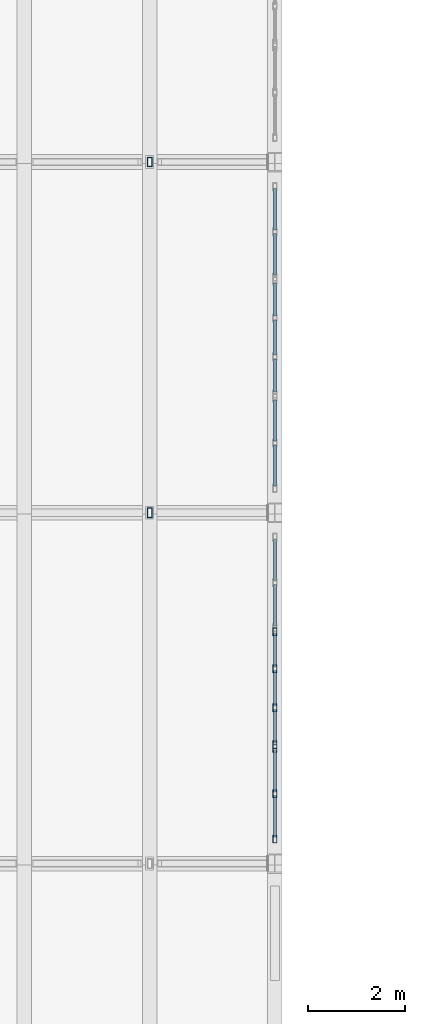
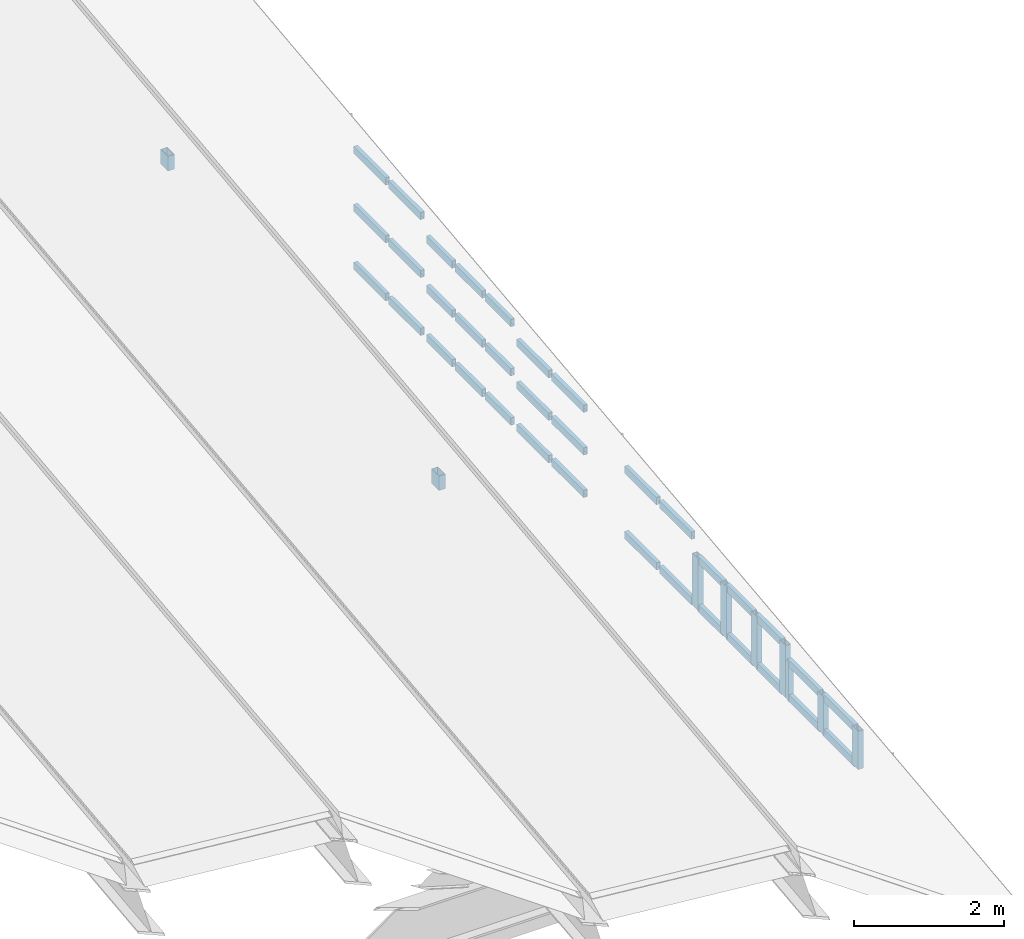
# One storey, part 26 of 48: 44 members, 6 elements without a shape of their own.
"""IFC4 building model written with IfcOpenShell, lengths in metres."""

from ifc_helpers import new_model, si_unit, direction, frame, origin, origin_2d, place, context, subcontext, project, spatial, hollow_rectangle, extrude, material, layer, layer_set, material_profile, profile_set, type_object, element, aggregate, save


model = new_model("IFC4")

# Units and contexts
model_context = context("Model", 3, precision=1e-05, world=origin(), true_north=direction((0.0, 1.0)))
body_context = subcontext(model_context, "Body", "Model", "MODEL_VIEW")
ifc_project = project(units=[si_unit("LENGTHUNIT", "METRE"), si_unit("AREAUNIT", "SQUARE_METRE"), si_unit("VOLUMEUNIT", "CUBIC_METRE"), si_unit("PLANEANGLEUNIT", "RADIAN"), si_unit("MASSUNIT", "GRAM", prefix="KILO"), si_unit("THERMODYNAMICTEMPERATUREUNIT", "KELVIN"), si_unit("POWERUNIT", "WATT")], contexts=[model_context])

# Site, building, storey
site_placement = place(None, origin())
site = spatial("IfcSite", under=ifc_project, at=site_placement, CompositionType="ELEMENT")
building_placement = place(site_placement, origin())
building = spatial("IfcBuilding", under=site, at=building_placement, Name="Kaldorven Railside Theatre", CompositionType="ELEMENT")
storey_placement = place(building_placement, frame((0.0, 0.0, 18.89990234375)))
storey = spatial("IfcBuildingStorey", under=building, at=storey_placement, Name="L04", CompositionType="ELEMENT", Elevation=18.89990234375)

# Curtain wall, members
ifc_material_1 = material(Name="Low-E laminated solar-control glass", Category="glass")
ifc_layer_1 = layer(ifc_material_1, 0.159912109375, Name="Low-E laminated solar-control glass")
ifc_layer_set_1 = layer_set([ifc_layer_1], Name="Low-E laminated solar-control glass")
curtain_wall_type_1 = type_object("IfcCurtainWallType", Name="CWT-26", PredefinedType="USERDEFINED", material=ifc_layer_set_1)
curtain_wall_1_placement = place(storey_placement, origin())
curtain_wall_1 = element("IfcCurtainWall", 1, at=curtain_wall_1_placement, inside=storey, type_object=curtain_wall_type_1, Name="Main Theatre East Eave Clerestory CWG-018", ObjectType="FLUTED GLAZING", PredefinedType="USERDEFINED")
ifc_material_2 = material(Name="Anodised bronze aluminium", Category="aluminium")
ifc_material_profile_1 = material_profile(ifc_material_2, hollow_rectangle(XDim=0.080078125, YDim=0.159912109375, WallThickness=0.00634765625, at=origin_2d()), Name="RHS 160x80x6.3")
ifc_profile_set_1 = profile_set([ifc_material_profile_1], Name="Anodised bronze aluminium")
member_type_1 = type_object("IfcMemberType", Name="CWM-160", PredefinedType="MULLION", material=ifc_profile_set_1)
member_1_placement = place(storey_placement, frame((123.199951171875, 48.5048828125, 0.02001953125), z_axis=(0.0, 0.0, 1.0), x_axis=(-1.0, 0.0, 0.0)))
member_1 = element("IfcMember", 2, at=member_1_placement, type_object=member_type_1, Name="CWG-018 mullion 1", PredefinedType="MULLION", context=body_context, shape_type="SweptSolid", body=[
    extrude(hollow_rectangle(XDim=0.080078125, YDim=0.159912109375, WallThickness=0.00634765625, at=origin_2d()), origin(), (0.0, 0.0, 1.0), 0.6201171875),
])
member_2_placement = place(storey_placement, frame((123.199951171875, 49.4326171875, 0.02001953125), z_axis=(0.0, 0.0, 1.0), x_axis=(-1.0, 0.0, 0.0)))
member_2 = element("IfcMember", 3, at=member_2_placement, type_object=member_type_1, Name="CWG-018 mullion 2", PredefinedType="MULLION", context=body_context, shape_type="SweptSolid", body=[
    extrude(hollow_rectangle(XDim=0.080078125, YDim=0.159912109375, WallThickness=0.00634765625, at=origin_2d()), origin(), (0.0, 0.0, 1.0), 0.6201171875),
])
member_3_placement = place(storey_placement, frame((123.199951171875, 50.360107421875, 0.02001953125), z_axis=(0.0, 0.0, 1.0), x_axis=(-1.0, 0.0, 0.0)))
member_3 = element("IfcMember", 4, at=member_3_placement, type_object=member_type_1, Name="CWG-018 mullion 3", PredefinedType="MULLION", context=body_context, shape_type="SweptSolid", body=[
    extrude(hollow_rectangle(XDim=0.080078125, YDim=0.159912109375, WallThickness=0.00634765625, at=origin_2d()), origin(), (0.0, 0.0, 1.0), 0.6201171875),
])

ifc_layer_2 = layer(ifc_material_1, 0.159912109375, Name="Low-E laminated solar-control glass")
ifc_layer_set_2 = layer_set([ifc_layer_2], Name="Low-E laminated solar-control glass")
curtain_wall_type_2 = type_object("IfcCurtainWallType", Name="CWT-27", PredefinedType="USERDEFINED", material=ifc_layer_set_2)
curtain_wall_2_placement = place(storey_placement, origin())
curtain_wall_2 = element("IfcCurtainWall", 5, at=curtain_wall_2_placement, inside=storey, type_object=curtain_wall_type_2, Name="Main Theatre East Eave Clerestory CWG-019", ObjectType="FLUTED GLAZING", PredefinedType="USERDEFINED")
member_4_placement = place(storey_placement, frame((123.199951171875, 50.43994140625, 0.02001953125), z_axis=(0.0, 0.0, 1.0), x_axis=(-1.0, 0.0, 0.0)))
member_4 = element("IfcMember", 6, at=member_4_placement, type_object=member_type_1, Name="CWG-019 mullion 1", PredefinedType="MULLION", context=body_context, shape_type="SweptSolid", body=[
    extrude(hollow_rectangle(XDim=0.080078125, YDim=0.159912109375, WallThickness=0.00634765625, at=origin_2d()), origin(), (0.0, 0.0, 1.0), 0.840087890625),
])
member_5_placement = place(storey_placement, frame((123.199951171875, 51.199951171875, 0.02001953125), z_axis=(0.0, 0.0, 1.0), x_axis=(-1.0, 0.0, 0.0)))
member_5 = element("IfcMember", 7, at=member_5_placement, type_object=member_type_1, Name="CWG-019 mullion 2", PredefinedType="MULLION", context=body_context, shape_type="SweptSolid", body=[
    extrude(hollow_rectangle(XDim=0.080078125, YDim=0.159912109375, WallThickness=0.00634765625, at=origin_2d()), origin(), (0.0, 0.0, 1.0), 0.840087890625),
])
member_6_placement = place(storey_placement, frame((123.199951171875, 52.0, 0.02001953125), z_axis=(0.0, 0.0, 1.0), x_axis=(-1.0, 0.0, 0.0)))
member_6 = element("IfcMember", 8, at=member_6_placement, type_object=member_type_1, Name="CWG-019 mullion 3", PredefinedType="MULLION", context=body_context, shape_type="SweptSolid", body=[
    extrude(hollow_rectangle(XDim=0.080078125, YDim=0.159912109375, WallThickness=0.00634765625, at=origin_2d()), origin(), (0.0, 0.0, 1.0), 0.840087890625),
])
member_7_placement = place(storey_placement, frame((123.199951171875, 52.760009765625, 0.02001953125), z_axis=(0.0, 0.0, 1.0), x_axis=(-1.0, 0.0, 0.0)))
member_7 = element("IfcMember", 9, at=member_7_placement, type_object=member_type_1, Name="CWG-019 mullion 4", PredefinedType="MULLION", context=body_context, shape_type="SweptSolid", body=[
    extrude(hollow_rectangle(XDim=0.080078125, YDim=0.159912109375, WallThickness=0.00634765625, at=origin_2d()), origin(), (0.0, 0.0, 1.0), 0.840087890625),
])

# Member
ifc_material_profile_2 = material_profile(ifc_material_2, hollow_rectangle(XDim=0.06005859375, YDim=0.1201171875, WallThickness=0.0048828125, at=origin_2d()), Name="RHS 120x60x5")
ifc_profile_set_2 = profile_set([ifc_material_profile_2], Name="Anodised bronze aluminium")
member_type_2 = type_object("IfcMemberType", Name="CWT-120", PredefinedType="USERDEFINED", material=ifc_profile_set_2)
member_8_placement = place(storey_placement, frame((123.199951171875, 48.544921875, 0.050048828125), z_axis=(0.0, 1.0, 0.0), x_axis=(-1.0, 0.0, 0.0)))
member_8 = element("IfcMember", 10, at=member_8_placement, type_object=member_type_2, Name="CWG-018 transom 1.1", ObjectType="TRANSOM", PredefinedType="USERDEFINED", context=body_context, shape_type="SweptSolid", body=[
    extrude(hollow_rectangle(XDim=0.06005859375, YDim=0.1201171875, WallThickness=0.0048828125, at=origin_2d()), origin(), (0.0, 0.0, 1.0), 0.84765625),
])

member_9_placement = place(storey_placement, frame((123.199951171875, 48.544921875, 0.610107421875), z_axis=(0.0, 1.0, 0.0), x_axis=(-1.0, 0.0, 0.0)))
member_9 = element("IfcMember", 11, at=member_9_placement, type_object=member_type_2, Name="CWG-018 transom 1.2", ObjectType="TRANSOM", PredefinedType="USERDEFINED", context=body_context, shape_type="SweptSolid", body=[
    extrude(hollow_rectangle(XDim=0.06005859375, YDim=0.1201171875, WallThickness=0.0048828125, at=origin_2d()), origin(), (0.0, 0.0, 1.0), 0.84765625),
])

member_10_placement = place(storey_placement, frame((123.199951171875, 49.472412109375, 0.050048828125), z_axis=(0.0, 1.0, 0.0), x_axis=(-1.0, 0.0, 0.0)))
member_10 = element("IfcMember", 12, at=member_10_placement, type_object=member_type_2, Name="CWG-018 transom 2.1", ObjectType="TRANSOM", PredefinedType="USERDEFINED", context=body_context, shape_type="SweptSolid", body=[
    extrude(hollow_rectangle(XDim=0.06005859375, YDim=0.1201171875, WallThickness=0.0048828125, at=origin_2d()), origin(), (0.0, 0.0, 1.0), 0.84765625),
])

member_11_placement = place(storey_placement, frame((123.199951171875, 49.472412109375, 0.610107421875), z_axis=(0.0, 1.0, 0.0), x_axis=(-1.0, 0.0, 0.0)))
member_11 = element("IfcMember", 13, at=member_11_placement, type_object=member_type_2, Name="CWG-018 transom 2.2", ObjectType="TRANSOM", PredefinedType="USERDEFINED", context=body_context, shape_type="SweptSolid", body=[
    extrude(hollow_rectangle(XDim=0.06005859375, YDim=0.1201171875, WallThickness=0.0048828125, at=origin_2d()), origin(), (0.0, 0.0, 1.0), 0.84765625),
])

aggregate(curtain_wall_1, [member_1, member_2, member_3, member_8, member_9, member_10, member_11])

member_12_placement = place(storey_placement, frame((123.199951171875, 50.47998046875, 0.050048828125), z_axis=(0.0, 1.0, 0.0), x_axis=(-1.0, 0.0, 0.0)))
member_12 = element("IfcMember", 14, at=member_12_placement, type_object=member_type_2, Name="CWG-019 transom 1.1", ObjectType="TRANSOM", PredefinedType="USERDEFINED", context=body_context, shape_type="SweptSolid", body=[
    extrude(hollow_rectangle(XDim=0.06005859375, YDim=0.1201171875, WallThickness=0.0048828125, at=origin_2d()), origin(), (0.0, 0.0, 1.0), 0.679931640625),
])

member_13_placement = place(storey_placement, frame((123.199951171875, 50.47998046875, 0.830078125), z_axis=(0.0, 1.0, 0.0), x_axis=(-1.0, 0.0, 0.0)))
member_13 = element("IfcMember", 15, at=member_13_placement, type_object=member_type_2, Name="CWG-019 transom 1.2", ObjectType="TRANSOM", PredefinedType="USERDEFINED", context=body_context, shape_type="SweptSolid", body=[
    extrude(hollow_rectangle(XDim=0.06005859375, YDim=0.1201171875, WallThickness=0.0048828125, at=origin_2d()), origin(), (0.0, 0.0, 1.0), 0.679931640625),
])

member_14_placement = place(storey_placement, frame((123.199951171875, 51.239990234375, 0.050048828125), z_axis=(0.0, 1.0, 0.0), x_axis=(-1.0, 0.0, 0.0)))
member_14 = element("IfcMember", 16, at=member_14_placement, type_object=member_type_2, Name="CWG-019 transom 2.1", ObjectType="TRANSOM", PredefinedType="USERDEFINED", context=body_context, shape_type="SweptSolid", body=[
    extrude(hollow_rectangle(XDim=0.06005859375, YDim=0.1201171875, WallThickness=0.0048828125, at=origin_2d()), origin(), (0.0, 0.0, 1.0), 0.719970703125),
])

member_15_placement = place(storey_placement, frame((123.199951171875, 51.239990234375, 0.830078125), z_axis=(0.0, 1.0, 0.0), x_axis=(-1.0, 0.0, 0.0)))
member_15 = element("IfcMember", 17, at=member_15_placement, type_object=member_type_2, Name="CWG-019 transom 2.2", ObjectType="TRANSOM", PredefinedType="USERDEFINED", context=body_context, shape_type="SweptSolid", body=[
    extrude(hollow_rectangle(XDim=0.06005859375, YDim=0.1201171875, WallThickness=0.0048828125, at=origin_2d()), origin(), (0.0, 0.0, 1.0), 0.719970703125),
])

member_16_placement = place(storey_placement, frame((123.199951171875, 52.0400390625, 0.050048828125), z_axis=(0.0, 1.0, 0.0), x_axis=(-1.0, 0.0, 0.0)))
member_16 = element("IfcMember", 18, at=member_16_placement, type_object=member_type_2, Name="CWG-019 transom 3.1", ObjectType="TRANSOM", PredefinedType="USERDEFINED", context=body_context, shape_type="SweptSolid", body=[
    extrude(hollow_rectangle(XDim=0.06005859375, YDim=0.1201171875, WallThickness=0.0048828125, at=origin_2d()), origin(), (0.0, 0.0, 1.0), 0.679931640625),
])

member_17_placement = place(storey_placement, frame((123.199951171875, 52.0400390625, 0.830078125), z_axis=(0.0, 1.0, 0.0), x_axis=(-1.0, 0.0, 0.0)))
member_17 = element("IfcMember", 19, at=member_17_placement, type_object=member_type_2, Name="CWG-019 transom 3.2", ObjectType="TRANSOM", PredefinedType="USERDEFINED", context=body_context, shape_type="SweptSolid", body=[
    extrude(hollow_rectangle(XDim=0.06005859375, YDim=0.1201171875, WallThickness=0.0048828125, at=origin_2d()), origin(), (0.0, 0.0, 1.0), 0.679931640625),
])

aggregate(curtain_wall_2, [member_4, member_5, member_6, member_7, member_12, member_13, member_14, member_15, member_16, member_17])

# Curtain wall, members
ifc_layer_3 = layer(ifc_material_1, 0.159912109375, Name="Low-E laminated solar-control glass")
ifc_layer_set_3 = layer_set([ifc_layer_3], Name="Low-E laminated solar-control glass")
curtain_wall_type_3 = type_object("IfcCurtainWallType", Name="CWT-28", PredefinedType="USERDEFINED", material=ifc_layer_set_3)
curtain_wall_3_placement = place(storey_placement, origin())
curtain_wall_3 = element("IfcCurtainWall", 20, at=curtain_wall_3_placement, inside=storey, type_object=curtain_wall_type_3, Name="Main Theatre East Eave Clerestory CWG-020", ObjectType="FLUTED GLAZING", PredefinedType="USERDEFINED")
member_18_placement = place(storey_placement, frame((123.199951171875, 52.8798828125, 0.050048828125), z_axis=(0.0, 1.0, 0.0), x_axis=(-1.0, 0.0, 0.0)))
member_18 = element("IfcMember", 21, at=member_18_placement, type_object=member_type_2, Name="CWG-020 transom 1.1", ObjectType="TRANSOM", PredefinedType="USERDEFINED", context=body_context, shape_type="SweptSolid", body=[
    extrude(hollow_rectangle(XDim=0.06005859375, YDim=0.1201171875, WallThickness=0.0048828125, at=origin_2d()), origin(), (0.0, 0.0, 1.0), 0.84765625),
])
member_19_placement = place(storey_placement, frame((123.199951171875, 52.8798828125, 1.110107421875), z_axis=(0.0, 1.0, 0.0), x_axis=(-1.0, 0.0, 0.0)))
member_19 = element("IfcMember", 22, at=member_19_placement, type_object=member_type_2, Name="CWG-020 transom 1.2", ObjectType="TRANSOM", PredefinedType="USERDEFINED", context=body_context, shape_type="SweptSolid", body=[
    extrude(hollow_rectangle(XDim=0.06005859375, YDim=0.1201171875, WallThickness=0.0048828125, at=origin_2d()), origin(), (0.0, 0.0, 1.0), 0.84765625),
])
member_20_placement = place(storey_placement, frame((123.199951171875, 53.8076171875, 0.050048828125), z_axis=(0.0, 1.0, 0.0), x_axis=(-1.0, 0.0, 0.0)))
member_20 = element("IfcMember", 23, at=member_20_placement, type_object=member_type_2, Name="CWG-020 transom 2.1", ObjectType="TRANSOM", PredefinedType="USERDEFINED", context=body_context, shape_type="SweptSolid", body=[
    extrude(hollow_rectangle(XDim=0.06005859375, YDim=0.1201171875, WallThickness=0.0048828125, at=origin_2d()), origin(), (0.0, 0.0, 1.0), 0.847412109375),
])
member_21_placement = place(storey_placement, frame((123.199951171875, 53.8076171875, 1.110107421875), z_axis=(0.0, 1.0, 0.0), x_axis=(-1.0, 0.0, 0.0)))
member_21 = element("IfcMember", 24, at=member_21_placement, type_object=member_type_2, Name="CWG-020 transom 2.2", ObjectType="TRANSOM", PredefinedType="USERDEFINED", context=body_context, shape_type="SweptSolid", body=[
    extrude(hollow_rectangle(XDim=0.06005859375, YDim=0.1201171875, WallThickness=0.0048828125, at=origin_2d()), origin(), (0.0, 0.0, 1.0), 0.847412109375),
])
aggregate(curtain_wall_3, [member_18, member_19, member_20, member_21])

ifc_layer_4 = layer(ifc_material_1, 0.159912109375, Name="Low-E laminated solar-control glass")
ifc_layer_set_4 = layer_set([ifc_layer_4], Name="Low-E laminated solar-control glass")
curtain_wall_type_4 = type_object("IfcCurtainWallType", Name="CWT-29", PredefinedType="USERDEFINED", material=ifc_layer_set_4)
curtain_wall_4_placement = place(storey_placement, origin())
curtain_wall_4 = element("IfcCurtainWall", 25, at=curtain_wall_4_placement, inside=storey, type_object=curtain_wall_type_4, Name="Main Theatre East Eave Clerestory CWG-021", ObjectType="FLUTED GLAZING", PredefinedType="USERDEFINED")
member_22_placement = place(storey_placement, frame((123.199951171875, 55.7451171875, 0.050048828125), z_axis=(0.0, 1.0, 0.0), x_axis=(-1.0, 0.0, 0.0)))
member_22 = element("IfcMember", 26, at=member_22_placement, type_object=member_type_2, Name="CWG-021 transom 1.1", ObjectType="TRANSOM", PredefinedType="USERDEFINED", context=body_context, shape_type="SweptSolid", body=[
    extrude(hollow_rectangle(XDim=0.06005859375, YDim=0.1201171875, WallThickness=0.0048828125, at=origin_2d()), origin(), (0.0, 0.0, 1.0), 0.847412109375),
])
member_23_placement = place(storey_placement, frame((123.199951171875, 55.7451171875, 0.739990234375), z_axis=(0.0, 1.0, 0.0), x_axis=(-1.0, 0.0, 0.0)))
member_23 = element("IfcMember", 27, at=member_23_placement, type_object=member_type_2, Name="CWG-021 transom 1.2", ObjectType="TRANSOM", PredefinedType="USERDEFINED", context=body_context, shape_type="SweptSolid", body=[
    extrude(hollow_rectangle(XDim=0.06005859375, YDim=0.1201171875, WallThickness=0.0048828125, at=origin_2d()), origin(), (0.0, 0.0, 1.0), 0.847412109375),
])
member_24_placement = place(storey_placement, frame((123.199951171875, 55.7451171875, 1.43017578125), z_axis=(0.0, 1.0, 0.0), x_axis=(-1.0, 0.0, 0.0)))
member_24 = element("IfcMember", 28, at=member_24_placement, type_object=member_type_2, Name="CWG-021 transom 1.3", ObjectType="TRANSOM", PredefinedType="USERDEFINED", context=body_context, shape_type="SweptSolid", body=[
    extrude(hollow_rectangle(XDim=0.06005859375, YDim=0.1201171875, WallThickness=0.0048828125, at=origin_2d()), origin(), (0.0, 0.0, 1.0), 0.847412109375),
])
member_25_placement = place(storey_placement, frame((123.199951171875, 56.672607421875, 0.050048828125), z_axis=(0.0, 1.0, 0.0), x_axis=(-1.0, 0.0, 0.0)))
member_25 = element("IfcMember", 29, at=member_25_placement, type_object=member_type_2, Name="CWG-021 transom 2.1", ObjectType="TRANSOM", PredefinedType="USERDEFINED", context=body_context, shape_type="SweptSolid", body=[
    extrude(hollow_rectangle(XDim=0.06005859375, YDim=0.1201171875, WallThickness=0.0048828125, at=origin_2d()), origin(), (0.0, 0.0, 1.0), 0.847412109375),
])
member_26_placement = place(storey_placement, frame((123.199951171875, 56.672607421875, 0.739990234375), z_axis=(0.0, 1.0, 0.0), x_axis=(-1.0, 0.0, 0.0)))
member_26 = element("IfcMember", 30, at=member_26_placement, type_object=member_type_2, Name="CWG-021 transom 2.2", ObjectType="TRANSOM", PredefinedType="USERDEFINED", context=body_context, shape_type="SweptSolid", body=[
    extrude(hollow_rectangle(XDim=0.06005859375, YDim=0.1201171875, WallThickness=0.0048828125, at=origin_2d()), origin(), (0.0, 0.0, 1.0), 0.847412109375),
])
member_27_placement = place(storey_placement, frame((123.199951171875, 56.672607421875, 1.43017578125), z_axis=(0.0, 1.0, 0.0), x_axis=(-1.0, 0.0, 0.0)))
member_27 = element("IfcMember", 31, at=member_27_placement, type_object=member_type_2, Name="CWG-021 transom 2.3", ObjectType="TRANSOM", PredefinedType="USERDEFINED", context=body_context, shape_type="SweptSolid", body=[
    extrude(hollow_rectangle(XDim=0.06005859375, YDim=0.1201171875, WallThickness=0.0048828125, at=origin_2d()), origin(), (0.0, 0.0, 1.0), 0.847412109375),
])
aggregate(curtain_wall_4, [member_22, member_23, member_24, member_25, member_26, member_27])

ifc_layer_5 = layer(ifc_material_1, 0.159912109375, Name="Low-E laminated solar-control glass")
ifc_layer_set_5 = layer_set([ifc_layer_5], Name="Low-E laminated solar-control glass")
curtain_wall_type_5 = type_object("IfcCurtainWallType", Name="CWT-30", PredefinedType="USERDEFINED", material=ifc_layer_set_5)
curtain_wall_5_placement = place(storey_placement, origin())
curtain_wall_5 = element("IfcCurtainWall", 32, at=curtain_wall_5_placement, inside=storey, type_object=curtain_wall_type_5, Name="Main Theatre East Eave Clerestory CWG-022", ObjectType="FLUTED GLAZING", PredefinedType="USERDEFINED")
member_28_placement = place(storey_placement, frame((123.199951171875, 57.679931640625, 0.050048828125), z_axis=(0.0, 1.0, 0.0), x_axis=(-1.0, 0.0, 0.0)))
member_28 = element("IfcMember", 33, at=member_28_placement, type_object=member_type_2, Name="CWG-022 transom 1.1", ObjectType="TRANSOM", PredefinedType="USERDEFINED", context=body_context, shape_type="SweptSolid", body=[
    extrude(hollow_rectangle(XDim=0.06005859375, YDim=0.1201171875, WallThickness=0.0048828125, at=origin_2d()), origin(), (0.0, 0.0, 1.0), 0.68017578125),
])
member_29_placement = place(storey_placement, frame((123.199951171875, 57.679931640625, 0.85009765625), z_axis=(0.0, 1.0, 0.0), x_axis=(-1.0, 0.0, 0.0)))
member_29 = element("IfcMember", 34, at=member_29_placement, type_object=member_type_2, Name="CWG-022 transom 1.2", ObjectType="TRANSOM", PredefinedType="USERDEFINED", context=body_context, shape_type="SweptSolid", body=[
    extrude(hollow_rectangle(XDim=0.06005859375, YDim=0.1201171875, WallThickness=0.0048828125, at=origin_2d()), origin(), (0.0, 0.0, 1.0), 0.68017578125),
])
member_30_placement = place(storey_placement, frame((123.199951171875, 57.679931640625, 1.650146484375), z_axis=(0.0, 1.0, 0.0), x_axis=(-1.0, 0.0, 0.0)))
member_30 = element("IfcMember", 35, at=member_30_placement, type_object=member_type_2, Name="CWG-022 transom 1.3", ObjectType="TRANSOM", PredefinedType="USERDEFINED", context=body_context, shape_type="SweptSolid", body=[
    extrude(hollow_rectangle(XDim=0.06005859375, YDim=0.1201171875, WallThickness=0.0048828125, at=origin_2d()), origin(), (0.0, 0.0, 1.0), 0.68017578125),
])
member_31_placement = place(storey_placement, frame((123.199951171875, 58.43994140625, 0.050048828125), z_axis=(0.0, 1.0, 0.0), x_axis=(-1.0, 0.0, 0.0)))
member_31 = element("IfcMember", 36, at=member_31_placement, type_object=member_type_2, Name="CWG-022 transom 2.1", ObjectType="TRANSOM", PredefinedType="USERDEFINED", context=body_context, shape_type="SweptSolid", body=[
    extrude(hollow_rectangle(XDim=0.06005859375, YDim=0.1201171875, WallThickness=0.0048828125, at=origin_2d()), origin(), (0.0, 0.0, 1.0), 0.719970703125),
])
member_32_placement = place(storey_placement, frame((123.199951171875, 58.43994140625, 0.85009765625), z_axis=(0.0, 1.0, 0.0), x_axis=(-1.0, 0.0, 0.0)))
member_32 = element("IfcMember", 37, at=member_32_placement, type_object=member_type_2, Name="CWG-022 transom 2.2", ObjectType="TRANSOM", PredefinedType="USERDEFINED", context=body_context, shape_type="SweptSolid", body=[
    extrude(hollow_rectangle(XDim=0.06005859375, YDim=0.1201171875, WallThickness=0.0048828125, at=origin_2d()), origin(), (0.0, 0.0, 1.0), 0.719970703125),
])
member_33_placement = place(storey_placement, frame((123.199951171875, 58.43994140625, 1.650146484375), z_axis=(0.0, 1.0, 0.0), x_axis=(-1.0, 0.0, 0.0)))
member_33 = element("IfcMember", 38, at=member_33_placement, type_object=member_type_2, Name="CWG-022 transom 2.3", ObjectType="TRANSOM", PredefinedType="USERDEFINED", context=body_context, shape_type="SweptSolid", body=[
    extrude(hollow_rectangle(XDim=0.06005859375, YDim=0.1201171875, WallThickness=0.0048828125, at=origin_2d()), origin(), (0.0, 0.0, 1.0), 0.719970703125),
])
member_34_placement = place(storey_placement, frame((123.199951171875, 59.239990234375, 0.050048828125), z_axis=(0.0, 1.0, 0.0), x_axis=(-1.0, 0.0, 0.0)))
member_34 = element("IfcMember", 39, at=member_34_placement, type_object=member_type_2, Name="CWG-022 transom 3.1", ObjectType="TRANSOM", PredefinedType="USERDEFINED", context=body_context, shape_type="SweptSolid", body=[
    extrude(hollow_rectangle(XDim=0.06005859375, YDim=0.1201171875, WallThickness=0.0048828125, at=origin_2d()), origin(), (0.0, 0.0, 1.0), 0.679931640625),
])
member_35_placement = place(storey_placement, frame((123.199951171875, 59.239990234375, 0.85009765625), z_axis=(0.0, 1.0, 0.0), x_axis=(-1.0, 0.0, 0.0)))
member_35 = element("IfcMember", 40, at=member_35_placement, type_object=member_type_2, Name="CWG-022 transom 3.2", ObjectType="TRANSOM", PredefinedType="USERDEFINED", context=body_context, shape_type="SweptSolid", body=[
    extrude(hollow_rectangle(XDim=0.06005859375, YDim=0.1201171875, WallThickness=0.0048828125, at=origin_2d()), origin(), (0.0, 0.0, 1.0), 0.679931640625),
])
member_36_placement = place(storey_placement, frame((123.199951171875, 59.239990234375, 1.650146484375), z_axis=(0.0, 1.0, 0.0), x_axis=(-1.0, 0.0, 0.0)))
member_36 = element("IfcMember", 41, at=member_36_placement, type_object=member_type_2, Name="CWG-022 transom 3.3", ObjectType="TRANSOM", PredefinedType="USERDEFINED", context=body_context, shape_type="SweptSolid", body=[
    extrude(hollow_rectangle(XDim=0.06005859375, YDim=0.1201171875, WallThickness=0.0048828125, at=origin_2d()), origin(), (0.0, 0.0, 1.0), 0.679931640625),
])
aggregate(curtain_wall_5, [member_28, member_29, member_30, member_31, member_32, member_33, member_34, member_35, member_36])

ifc_layer_6 = layer(ifc_material_1, 0.159912109375, Name="Low-E laminated solar-control glass")
ifc_layer_set_6 = layer_set([ifc_layer_6], Name="Low-E laminated solar-control glass")
curtain_wall_type_6 = type_object("IfcCurtainWallType", Name="CWT-31", PredefinedType="USERDEFINED", material=ifc_layer_set_6)
curtain_wall_6_placement = place(storey_placement, origin())
curtain_wall_6 = element("IfcCurtainWall", 42, at=curtain_wall_6_placement, inside=storey, type_object=curtain_wall_type_6, Name="Main Theatre East Eave Clerestory CWG-023", ObjectType="FLUTED GLAZING", PredefinedType="USERDEFINED")
member_37_placement = place(storey_placement, frame((123.199951171875, 60.080078125, 0.050048828125), z_axis=(0.0, 1.0, 0.0), x_axis=(-1.0, 0.0, 0.0)))
member_37 = element("IfcMember", 43, at=member_37_placement, type_object=member_type_2, Name="CWG-023 transom 1.1", ObjectType="TRANSOM", PredefinedType="USERDEFINED", context=body_context, shape_type="SweptSolid", body=[
    extrude(hollow_rectangle(XDim=0.06005859375, YDim=0.1201171875, WallThickness=0.0048828125, at=origin_2d()), origin(), (0.0, 0.0, 1.0), 0.847412109375),
])
member_38_placement = place(storey_placement, frame((123.199951171875, 60.080078125, 0.989990234375), z_axis=(0.0, 1.0, 0.0), x_axis=(-1.0, 0.0, 0.0)))
member_38 = element("IfcMember", 44, at=member_38_placement, type_object=member_type_2, Name="CWG-023 transom 1.2", ObjectType="TRANSOM", PredefinedType="USERDEFINED", context=body_context, shape_type="SweptSolid", body=[
    extrude(hollow_rectangle(XDim=0.06005859375, YDim=0.1201171875, WallThickness=0.0048828125, at=origin_2d()), origin(), (0.0, 0.0, 1.0), 0.847412109375),
])
member_39_placement = place(storey_placement, frame((123.199951171875, 60.080078125, 1.93017578125), z_axis=(0.0, 1.0, 0.0), x_axis=(-1.0, 0.0, 0.0)))
member_39 = element("IfcMember", 45, at=member_39_placement, type_object=member_type_2, Name="CWG-023 transom 1.3", ObjectType="TRANSOM", PredefinedType="USERDEFINED", context=body_context, shape_type="SweptSolid", body=[
    extrude(hollow_rectangle(XDim=0.06005859375, YDim=0.1201171875, WallThickness=0.0048828125, at=origin_2d()), origin(), (0.0, 0.0, 1.0), 0.847412109375),
])
member_40_placement = place(storey_placement, frame((123.199951171875, 61.007568359375, 0.050048828125), z_axis=(0.0, 1.0, 0.0), x_axis=(-1.0, 0.0, 0.0)))
member_40 = element("IfcMember", 46, at=member_40_placement, type_object=member_type_2, Name="CWG-023 transom 2.1", ObjectType="TRANSOM", PredefinedType="USERDEFINED", context=body_context, shape_type="SweptSolid", body=[
    extrude(hollow_rectangle(XDim=0.06005859375, YDim=0.1201171875, WallThickness=0.0048828125, at=origin_2d()), origin(), (0.0, 0.0, 1.0), 0.847412109375),
])
member_41_placement = place(storey_placement, frame((123.199951171875, 61.007568359375, 0.989990234375), z_axis=(0.0, 1.0, 0.0), x_axis=(-1.0, 0.0, 0.0)))
member_41 = element("IfcMember", 47, at=member_41_placement, type_object=member_type_2, Name="CWG-023 transom 2.2", ObjectType="TRANSOM", PredefinedType="USERDEFINED", context=body_context, shape_type="SweptSolid", body=[
    extrude(hollow_rectangle(XDim=0.06005859375, YDim=0.1201171875, WallThickness=0.0048828125, at=origin_2d()), origin(), (0.0, 0.0, 1.0), 0.847412109375),
])
member_42_placement = place(storey_placement, frame((123.199951171875, 61.007568359375, 1.93017578125), z_axis=(0.0, 1.0, 0.0), x_axis=(-1.0, 0.0, 0.0)))
member_42 = element("IfcMember", 48, at=member_42_placement, type_object=member_type_2, Name="CWG-023 transom 2.3", ObjectType="TRANSOM", PredefinedType="USERDEFINED", context=body_context, shape_type="SweptSolid", body=[
    extrude(hollow_rectangle(XDim=0.06005859375, YDim=0.1201171875, WallThickness=0.0048828125, at=origin_2d()), origin(), (0.0, 0.0, 1.0), 0.847412109375),
])
aggregate(curtain_wall_6, [member_37, member_38, member_39, member_40, member_41, member_42])

# Members
ifc_material_3 = material(Name="Steel S355", Category="steel")
ifc_material_profile_3 = material_profile(ifc_material_3, hollow_rectangle(XDim=0.10009765625, YDim=0.199951171875, WallThickness=0.008056640625, at=origin_2d()), Name="RHS 200x100x8")
ifc_profile_set_3 = profile_set([ifc_material_profile_3], Name="Steel S355")
member_type_3 = type_object("IfcMemberType", Name="MEM-RHS200", PredefinedType="STRUT", material=ifc_profile_set_3)
for number, where, z_axis, x_axis, name in (
    (49, (120.62841796875, 55.199951171875, 1.40380859375), (0.0, 0.0, 1.0), (1.0, 0.0, 0.0), "V1 Folded-Roof King-Post Strut STR-037"),
    (50, (120.62841796875, 62.39990234375, 2.223876953125), (0.0, 0.0, 1.0), (1.0, 0.0, 0.0), "V1 Folded-Roof King-Post Strut STR-038"),
):
    element("IfcMember", number, at=place(storey_placement, frame(where, z_axis=z_axis, x_axis=x_axis)), inside=storey, type_object=member_type_3, Name=name, PredefinedType="STRUT", context=body_context, shape_type="SweptSolid", body=[
        extrude(hollow_rectangle(XDim=0.10009765625, YDim=0.199951171875, WallThickness=0.008056640625, at=origin_2d()), origin(), (0.0, 0.0, 1.0), 0.235595703125),
    ])

save(model, "model.ifc")
